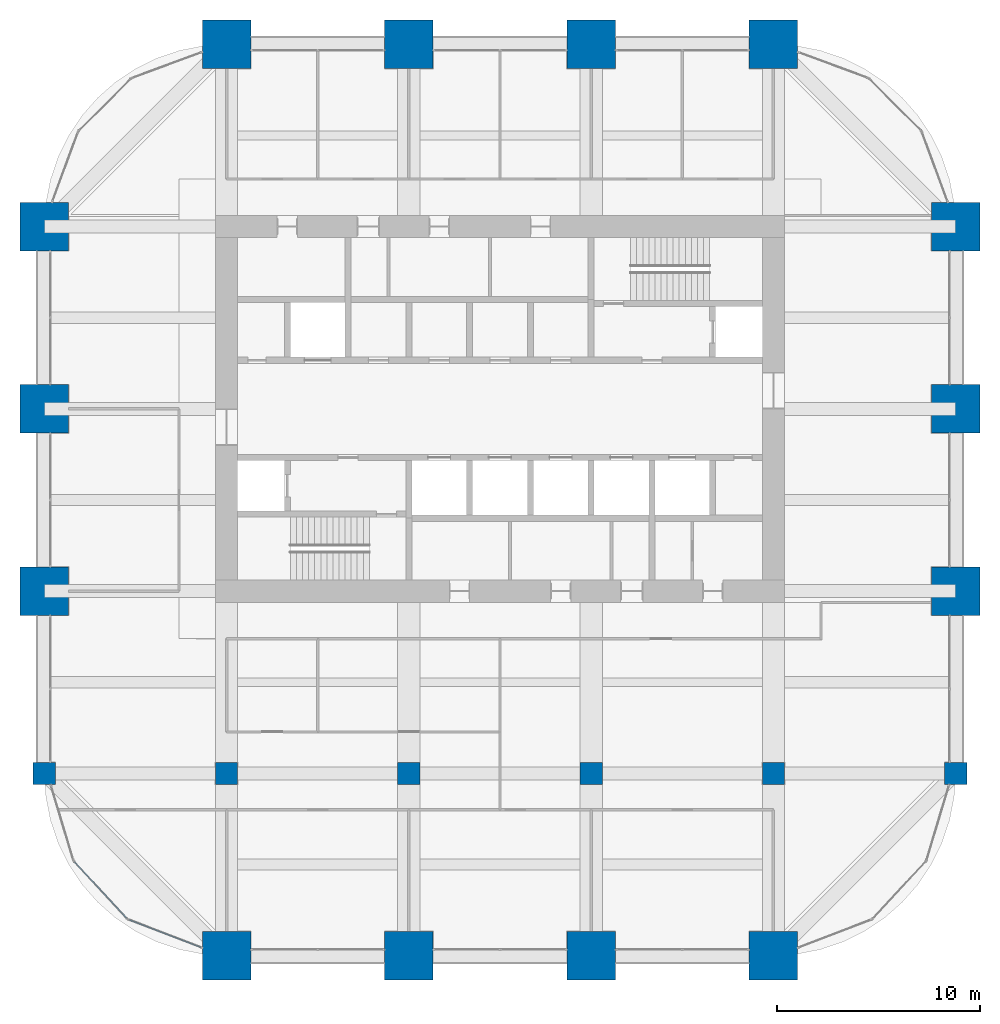
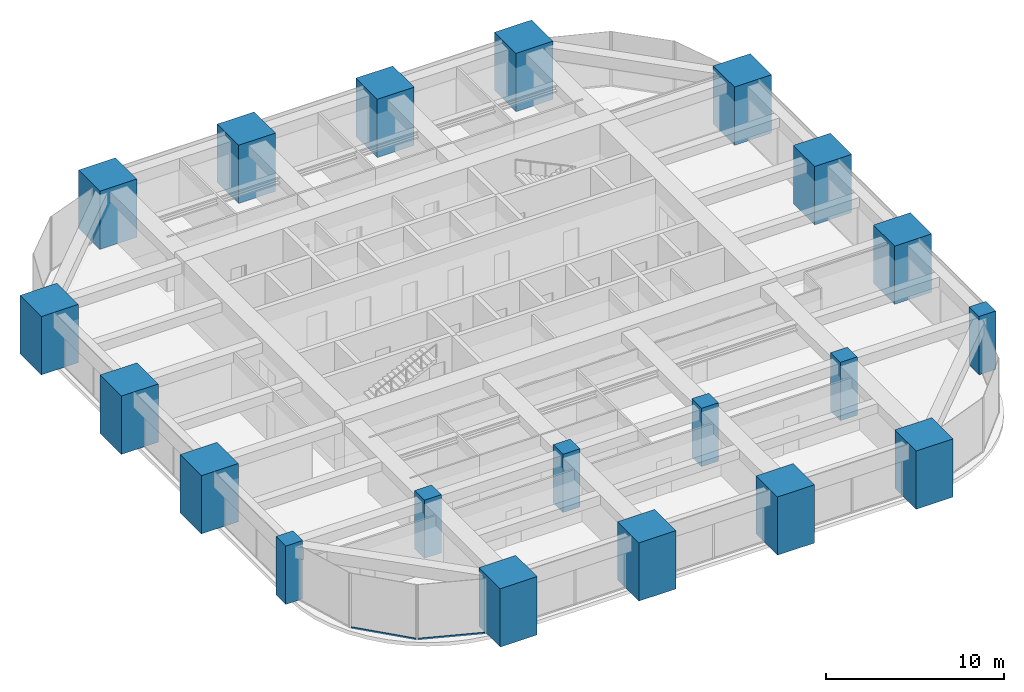
# One storey, part 1 of 45: 20 columns, 2 members, 2 elements without a shape of their own.
"""IFC4 building model written with IfcOpenShell, lengths in metres."""

from ifc_helpers import new_model, si_unit, direction, frame, origin, origin_2d, place, context, subcontext, project, spatial, rectangle, hollow_rectangle, extrude, material, material_profile, profile_set, type_object, element, aggregate, save


model = new_model("IFC4")

# Units and contexts
model_context = context("Model", 3, precision=1e-05, world=origin(), true_north=direction((0.0, 1.0)))
body_context = subcontext(model_context, "Body", "Model", "MODEL_VIEW")
ifc_project = project(units=[si_unit("LENGTHUNIT", "METRE"), si_unit("AREAUNIT", "SQUARE_METRE"), si_unit("VOLUMEUNIT", "CUBIC_METRE"), si_unit("PLANEANGLEUNIT", "RADIAN"), si_unit("MASSUNIT", "GRAM", prefix="KILO")], contexts=[model_context])

# Site, building, storey
site_placement = place(None, origin())
site = spatial("IfcSite", under=ifc_project, at=site_placement, CompositionType="ELEMENT")
building_placement = place(site_placement, origin())
building = spatial("IfcBuilding", under=site, at=building_placement, Name="Zorevar Civic Tower", CompositionType="ELEMENT")
storey_placement = place(building_placement, frame((0.0, 0.0, 247.39990234375)))
storey = spatial("IfcBuildingStorey", under=building, at=storey_placement, Name="L60", CompositionType="ELEMENT", Elevation=247.39990234375)

# Columns
ifc_material_1 = material(Name="Concrete C50/60", Category="concrete")
ifc_material_profile_1 = material_profile(ifc_material_1, rectangle(XDim=1.10009765625, YDim=1.10009765625, at=origin_2d()), Name="RC 1100x1100")
ifc_profile_set_1 = profile_set([ifc_material_profile_1], Name="Concrete C50/60")
column_type_1 = type_object("IfcColumnType", Name="Column RC 1100x1100", PredefinedType="COLUMN", material=ifc_profile_set_1)
for number, where, z_axis, x_axis, name in (
    (1, (9.0, 9.0, 0.0), (0.0, 0.0, 1.0), (1.0, 0.0, 0.0), "Column 3B L60"),
    (2, (18.0, 9.0, 0.0), (0.0, 0.0, 1.0), (1.0, 0.0, 0.0), "Column 4B L60"),
    (3, (27.0, 9.0, 0.0), (0.0, 0.0, 1.0), (1.0, 0.0, 0.0), "Column 5B L60"),
    (4, (36.0, 9.0, 0.0), (0.0, 0.0, 1.0), (1.0, 0.0, 0.0), "Column 6B L60"),
    (5, (45.0, 9.0, 0.0), (0.0, 0.0, 1.0), (1.0, 0.0, 0.0), "Column 7B L60"),
    (6, (54.0, 9.0, 0.0), (0.0, 0.0, 1.0), (1.0, 0.0, 0.0), "Column 8B L60"),
):
    element("IfcColumn", number, at=place(storey_placement, frame(where, z_axis=z_axis, x_axis=x_axis)), inside=storey, type_object=column_type_1, Name=name, PredefinedType="COLUMN", context=body_context, shape_type="SweptSolid", body=[
        extrude(rectangle(XDim=1.10009765625, YDim=1.10009765625, at=origin_2d()), origin(), (0.0, 0.0, 1.0), 4.0),
    ])
ifc_material_2 = material(Name="Concrete C50/60", Category="concrete")
ifc_material_profile_2 = material_profile(ifc_material_2, rectangle(XDim=2.39990234375, YDim=2.39990234375, at=origin_2d()), Name="RC 2400x2400")
ifc_profile_set_2 = profile_set([ifc_material_profile_2], Name="Concrete C50/60")
column_type_2 = type_object("IfcColumnType", Name="Mega column RC 2400x2400", PredefinedType="COLUMN", material=ifc_profile_set_2)
for number, where, z_axis, x_axis, name in (
    (7, (9.0, 18.0, 0.0), (0.0, 0.0, 1.0), (1.0, 0.0, 0.0), "Column 3C L60"),
    (8, (9.0, 27.0, 0.0), (0.0, 0.0, 1.0), (1.0, 0.0, 0.0), "Column 3D L60"),
    (9, (9.0, 36.0, 0.0), (0.0, 0.0, 1.0), (1.0, 0.0, 0.0), "Column 3E L60"),
    (10, (18.0, 0.0, 0.0), (0.0, 0.0, 1.0), (1.0, 0.0, 0.0), "Column 4A L60"),
    (11, (18.0, 45.0, 0.0), (0.0, 0.0, 1.0), (1.0, 0.0, 0.0), "Column 4F L60"),
    (12, (27.0, 0.0, 0.0), (0.0, 0.0, 1.0), (1.0, 0.0, 0.0), "Column 5A L60"),
    (13, (27.0, 45.0, 0.0), (0.0, 0.0, 1.0), (1.0, 0.0, 0.0), "Column 5F L60"),
    (14, (36.0, 0.0, 0.0), (0.0, 0.0, 1.0), (1.0, 0.0, 0.0), "Column 6A L60"),
    (15, (36.0, 45.0, 0.0), (0.0, 0.0, 1.0), (1.0, 0.0, 0.0), "Column 6F L60"),
    (16, (45.0, 0.0, 0.0), (0.0, 0.0, 1.0), (1.0, 0.0, 0.0), "Column 7A L60"),
    (17, (45.0, 45.0, 0.0), (0.0, 0.0, 1.0), (1.0, 0.0, 0.0), "Column 7F L60"),
    (18, (54.0, 18.0, 0.0), (0.0, 0.0, 1.0), (1.0, 0.0, 0.0), "Column 8C L60"),
    (19, (54.0, 27.0, 0.0), (0.0, 0.0, 1.0), (1.0, 0.0, 0.0), "Column 8D L60"),
    (20, (54.0, 36.0, 0.0), (0.0, 0.0, 1.0), (1.0, 0.0, 0.0), "Column 8E L60"),
):
    element("IfcColumn", number, at=place(storey_placement, frame(where, z_axis=z_axis, x_axis=x_axis)), inside=storey, type_object=column_type_2, Name=name, PredefinedType="COLUMN", context=body_context, shape_type="SweptSolid", body=[
        extrude(rectangle(XDim=2.39990234375, YDim=2.39990234375, at=origin_2d()), origin(), (0.0, 0.0, 1.0), 4.0),
    ])

# Curtain wall, member
ifc_material_3 = material(Name="Dark grey solar-control glass in black aluminium frame", Category="aluminium")
curtain_wall_type = type_object("IfcCurtainWallType", Name="Curtain wall CW5 top zone", PredefinedType="NOTDEFINED", material=ifc_material_3)
curtain_wall_1_placement = place(storey_placement, origin())
curtain_wall_1 = element("IfcCurtainWall", 21, at=curtain_wall_1_placement, inside=storey, type_object=curtain_wall_type, Name="CW5 L60", PredefinedType="NOTDEFINED")
ifc_material_4 = material(Name="Aluminium, black anodised", Category="aluminium")
ifc_material_profile_3 = material_profile(ifc_material_4, hollow_rectangle(XDim=0.06005859375, YDim=0.1201171875, WallThickness=0.0029296875, at=origin_2d()), Name="AL 120x60x3")
ifc_profile_set_3 = profile_set([ifc_material_profile_3], Name="Aluminium, black anodised")
member_type = type_object("IfcMemberType", Name="CW5 transom AL 120x60x3", PredefinedType="USERDEFINED", material=ifc_profile_set_3)
member_1_placement = place(storey_placement, frame((10.4892578125, 4.6357421875, 0.030029296875), z_axis=(0.680058385616, -0.733157958528, 0.0), x_axis=(0.733157958528, 0.680058385616, 0.0)))
member_1 = element("IfcMember", 22, at=member_1_placement, type_object=member_type, Name="CW5 sill transom", ObjectType="TRANSOM", PredefinedType="USERDEFINED", context=body_context, shape_type="SweptSolid", body=[
    extrude(hollow_rectangle(XDim=0.06005859375, YDim=0.1201171875, WallThickness=0.0029296875, at=origin_2d()), origin(), (0.0, 0.0, 1.0), 3.816162109375),
])
aggregate(curtain_wall_1, [member_1])

curtain_wall_2_placement = place(storey_placement, origin())
curtain_wall_2 = element("IfcCurtainWall", 23, at=curtain_wall_2_placement, inside=storey, type_object=curtain_wall_type, Name="CW5 L60", PredefinedType="NOTDEFINED")
member_2_placement = place(storey_placement, frame((13.181396484375, 1.7724609375, 0.030029296875), z_axis=(0.933566384212, -0.358404528807, 0.0), x_axis=(0.358404528807, 0.933566384212, 0.0)))
member_2 = element("IfcMember", 24, at=member_2_placement, type_object=member_type, Name="CW5 sill transom", ObjectType="TRANSOM", PredefinedType="USERDEFINED", context=body_context, shape_type="SweptSolid", body=[
    extrude(hollow_rectangle(XDim=0.06005859375, YDim=0.1201171875, WallThickness=0.0029296875, at=origin_2d()), origin(), (0.0, 0.0, 1.0), 3.81591796875),
])
aggregate(curtain_wall_2, [member_2])

save(model, "model.ifc")
